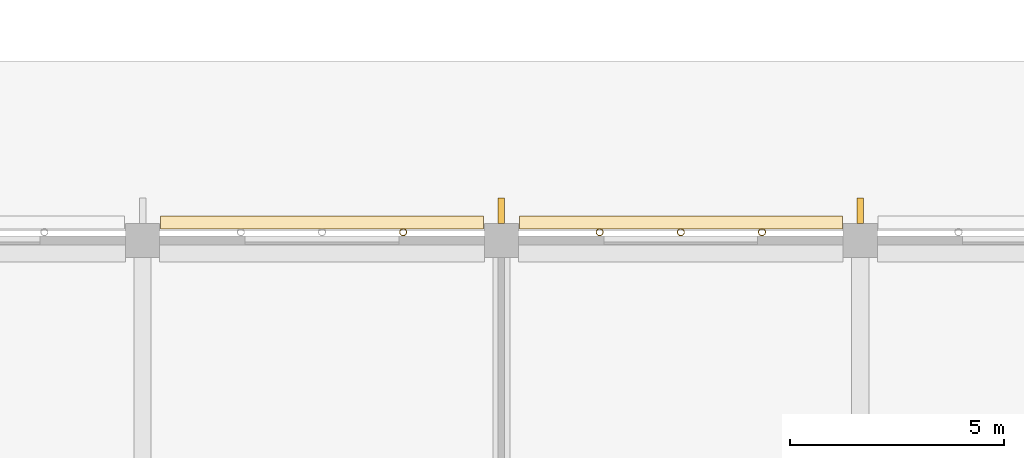
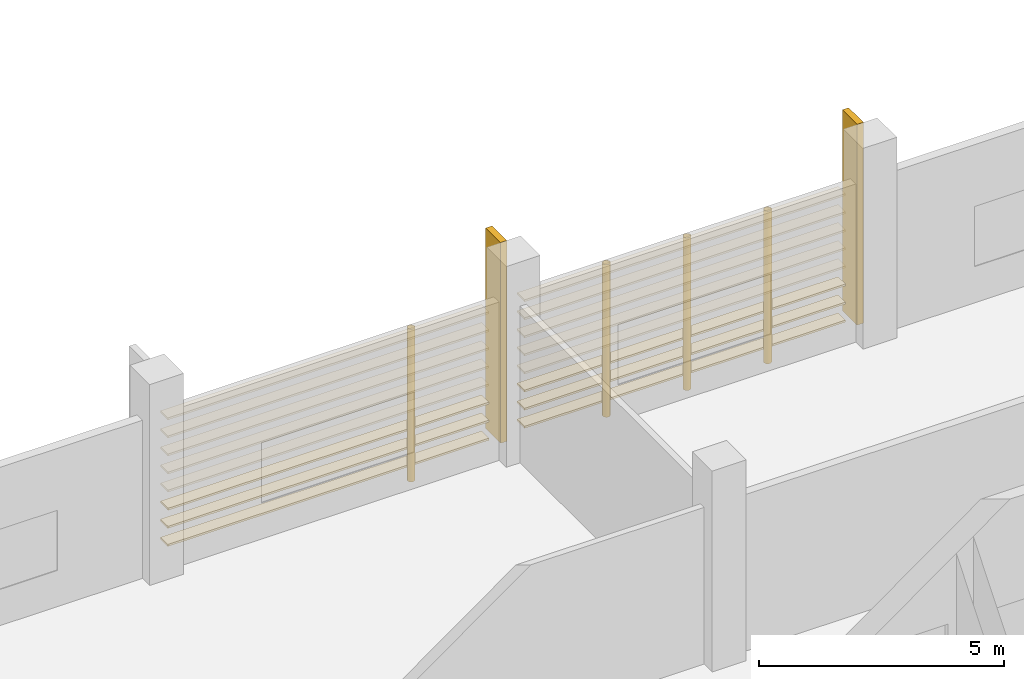
# One storey, part 71 of 101: 16 coverings, 6 shading devices.
"""IFC4 building model written with IfcOpenShell, lengths in metres."""

from ifc_helpers import new_model, si_unit, direction, frame, origin, origin_2d, place, context, subcontext, project, spatial, rectangle, hollow_circle, extrude, material, material_profile, profile_set, type_object, element, save


model = new_model("IFC4")

# Units and contexts
model_context = context("Model", 3, precision=1e-05, world=origin(), true_north=direction((0.0, 1.0)))
body_context = subcontext(model_context, "Body", "Model", "MODEL_VIEW")
ifc_project = project(units=[si_unit("LENGTHUNIT", "METRE"), si_unit("AREAUNIT", "SQUARE_METRE"), si_unit("VOLUMEUNIT", "CUBIC_METRE"), si_unit("PLANEANGLEUNIT", "RADIAN"), si_unit("MASSUNIT", "GRAM", prefix="KILO")], contexts=[model_context])

# Site, building, storey
site_placement = place(None, origin())
site = spatial("IfcSite", under=ifc_project, at=site_placement, CompositionType="ELEMENT")
building_placement = place(site_placement, origin())
building = spatial("IfcBuilding", under=site, at=building_placement, Name="Almond Square Museum", CompositionType="ELEMENT")
storey_placement = place(building_placement, frame((0.0, 0.0, 5.5)))
storey = spatial("IfcBuildingStorey", under=building, at=storey_placement, Name="L01", CompositionType="ELEMENT", Elevation=5.5)

# Shading devices
ifc_material_1 = material(Name="Structural steel S355", Category="steel")
ifc_material_profile_1 = material_profile(ifc_material_1, hollow_circle(Radius=0.084228515625, WallThickness=0.008056640625, at=origin_2d()))
ifc_profile_set_1 = profile_set([ifc_material_profile_1], Name="Structural steel S355")
shading_device_type_1 = type_object("IfcShadingDeviceType", Name="Louvre post CHS 168.3 x 8", PredefinedType="USERDEFINED", material=ifc_profile_set_1)
for number, where, z_axis, x_axis, name in (
    (1, (92.300048828125, 16.994140625, 0.0), (0.0, 0.0, 1.0), (1.0, 0.0, 0.0), "Louvre screen post"),
    (2, (94.199951171875, 16.994140625, 0.0), (0.0, 0.0, 1.0), (1.0, 0.0, 0.0), "Louvre screen post"),
    (3, (96.10009765625, 16.994140625, 0.0), (0.0, 0.0, 1.0), (1.0, 0.0, 0.0), "Louvre screen post"),
    (4, (87.699951171875, 16.994140625, 0.0), (0.0, 0.0, 1.0), (1.0, 0.0, 0.0), "Louvre screen post"),
):
    element("IfcShadingDevice", number, at=place(storey_placement, frame(where, z_axis=z_axis, x_axis=x_axis)), inside=storey, type_object=shading_device_type_1, Name=name, ObjectType="POST", PredefinedType="USERDEFINED", context=body_context, shape_type="SweptSolid", body=[
        extrude(hollow_circle(Radius=0.084228515625, WallThickness=0.008056640625, at=origin_2d()), origin(), (0.0, 0.0, 1.0), 3.800048828125),
    ])

# Coverings
ifc_material_2 = material(Name="Cedar timber louvre board", Category="wood")
ifc_material_profile_2 = material_profile(ifc_material_2, rectangle(XDim=0.300048828125, YDim=0.050048828125, at=origin_2d()))
ifc_profile_set_2 = profile_set([ifc_material_profile_2], Name="Cedar timber louvre board")
covering_type = type_object("IfcCoveringType", Name="Louvre screen board 300 x 50", PredefinedType="CLADDING", material=ifc_profile_set_2)
for number, where, z_axis, x_axis, name in (
    (5, (90.419921875, 17.224365234375, 0.300048828125), (1.0, 0.0, 0.0), (0.0, 1.0, 0.0), "Louvre screen board"),
    (6, (90.419921875, 17.224365234375, 0.75), (1.0, 0.0, 0.0), (0.0, 1.0, 0.0), "Louvre screen board"),
    (7, (90.419921875, 17.224365234375, 1.199951171875), (1.0, 0.0, 0.0), (0.0, 1.0, 0.0), "Louvre screen board"),
    (8, (90.419921875, 17.224365234375, 1.64990234375), (1.0, 0.0, 0.0), (0.0, 1.0, 0.0), "Louvre screen board"),
    (9, (90.419921875, 17.224365234375, 2.10009765625), (1.0, 0.0, 0.0), (0.0, 1.0, 0.0), "Louvre screen board"),
    (10, (90.419921875, 17.224365234375, 2.550048828125), (1.0, 0.0, 0.0), (0.0, 1.0, 0.0), "Louvre screen board"),
    (11, (90.419921875, 17.224365234375, 3.0), (1.0, 0.0, 0.0), (0.0, 1.0, 0.0), "Louvre screen board"),
    (12, (90.419921875, 17.224365234375, 3.449951171875), (1.0, 0.0, 0.0), (0.0, 1.0, 0.0), "Louvre screen board"),
    (13, (82.02001953125, 17.224365234375, 0.300048828125), (1.0, 0.0, 0.0), (0.0, 1.0, 0.0), "Louvre screen board"),
    (14, (82.02001953125, 17.224365234375, 0.75), (1.0, 0.0, 0.0), (0.0, 1.0, 0.0), "Louvre screen board"),
    (15, (82.02001953125, 17.224365234375, 1.199951171875), (1.0, 0.0, 0.0), (0.0, 1.0, 0.0), "Louvre screen board"),
    (16, (82.02001953125, 17.224365234375, 1.64990234375), (1.0, 0.0, 0.0), (0.0, 1.0, 0.0), "Louvre screen board"),
    (17, (82.02001953125, 17.224365234375, 2.10009765625), (1.0, 0.0, 0.0), (0.0, 1.0, 0.0), "Louvre screen board"),
    (18, (82.02001953125, 17.224365234375, 2.550048828125), (1.0, 0.0, 0.0), (0.0, 1.0, 0.0), "Louvre screen board"),
    (19, (82.02001953125, 17.224365234375, 3.0), (1.0, 0.0, 0.0), (0.0, 1.0, 0.0), "Louvre screen board"),
    (20, (82.02001953125, 17.224365234375, 3.449951171875), (1.0, 0.0, 0.0), (0.0, 1.0, 0.0), "Louvre screen board"),
):
    element("IfcCovering", number, at=place(storey_placement, frame(where, z_axis=z_axis, x_axis=x_axis)), inside=storey, type_object=covering_type, Name=name, PredefinedType="CLADDING", context=body_context, shape_type="SweptSolid", body=[
        extrude(rectangle(XDim=0.300048828125, YDim=0.050048828125, at=origin_2d()), origin(), (0.0, 0.0, 1.0), 7.56005859375),
    ])

# Shading devices
ifc_material_3 = material(Name="Cedar timber fin", Category="wood")
shading_device_type_2 = type_object("IfcShadingDeviceType", Name="Timber storm fin 150 x 600", PredefinedType="USERDEFINED", material=ifc_material_3)
for number, where, z_axis, x_axis, name in (
    (21, (90.0, 17.5, 0.0), (0.0, 0.0, 1.0), (1.0, 0.0, 0.0), "Timber storm fin"),
    (22, (98.39990234375, 17.5, 0.0), (0.0, 0.0, 1.0), (1.0, 0.0, 0.0), "Timber storm fin"),
):
    element("IfcShadingDevice", number, at=place(storey_placement, frame(where, z_axis=z_axis, x_axis=x_axis)), inside=storey, type_object=shading_device_type_2, Name=name, ObjectType="FIN", PredefinedType="USERDEFINED", context=body_context, shape_type="SweptSolid", body=[
        extrude(rectangle(XDim=0.14990234375, YDim=0.60009765625, at=origin_2d()), origin(), (0.0, 0.0, 1.0), 5.0),
    ])

save(model, "model.ifc")
